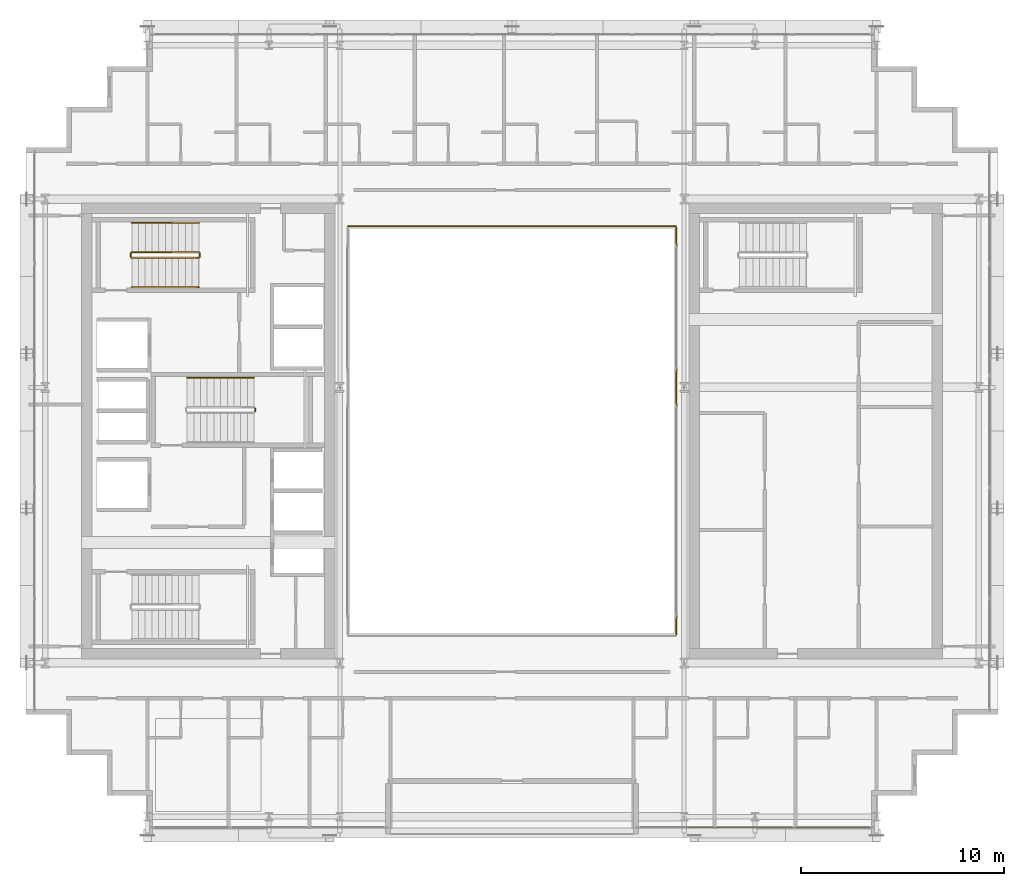
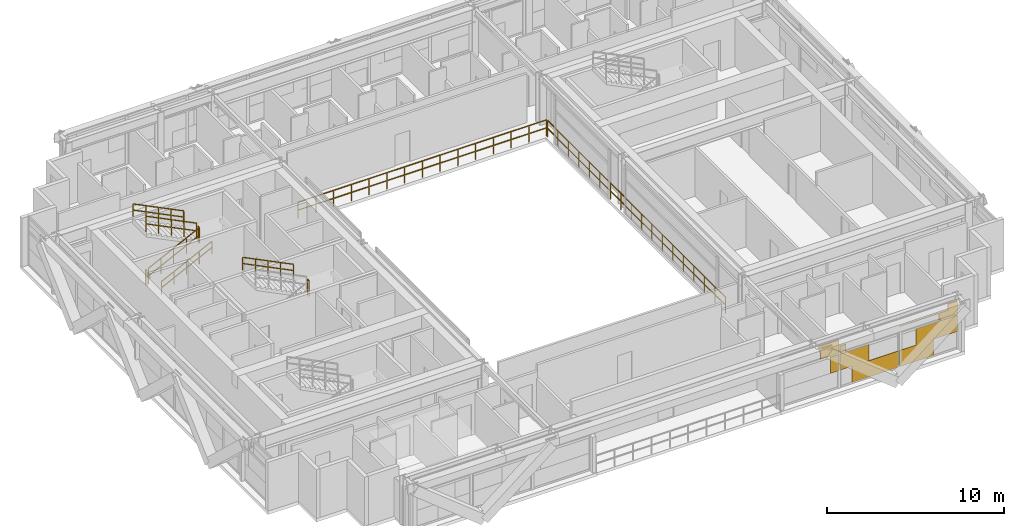
# One storey, part 36 of 38: 10 railings, 1 covering.
"""IFC4 building model written with IfcOpenShell, lengths in metres."""

from ifc_helpers import new_model, si_unit, direction, frame, origin, origin_2d, place, context, subcontext, project, spatial, rectangle, extrude, material, layer, layer_set, type_object, element, save


model = new_model("IFC4")

# Units and contexts
model_context = context("Model", 3, precision=1e-05, world=origin(), true_north=direction((0.0, 1.0)))
body_context = subcontext(model_context, "Body", "Model", "MODEL_VIEW")
ifc_project = project(units=[si_unit("LENGTHUNIT", "METRE"), si_unit("AREAUNIT", "SQUARE_METRE"), si_unit("VOLUMEUNIT", "CUBIC_METRE"), si_unit("PLANEANGLEUNIT", "RADIAN"), si_unit("MASSUNIT", "GRAM", prefix="KILO")], contexts=[model_context])

# Site, building, storey
site_placement = place(None, origin())
site = spatial("IfcSite", under=ifc_project, at=site_placement, CompositionType="ELEMENT")
building_placement = place(site_placement, origin())
building = spatial("IfcBuilding", under=site, at=building_placement, Name="Ocotamira Hotel", CompositionType="ELEMENT")
storey_placement = place(building_placement, frame((0.0, 0.0, 170.39990234375)))
storey = spatial("IfcBuildingStorey", under=building, at=storey_placement, Name="L42", CompositionType="ELEMENT", Elevation=170.39990234375)

# Covering
ifc_material_1 = material(Name="Insulated pale-metal aluminium spandrel panel", Category="aluminium")
ifc_layer = layer(ifc_material_1, 0.044921875)
ifc_layer_set = layer_set([ifc_layer], Name="Insulated pale-metal aluminium spandrel panel")
covering_type = type_object("IfcCoveringType", Name="COV-INFILL-45", PredefinedType="CLADDING", material=ifc_layer_set)
covering_placement = place(storey_placement, origin())
element("IfcCovering", 1, at=covering_placement, inside=storey, type_object=covering_type, Name="L42 Curtain Wall Infill CW-4 CW-L42-S2", PredefinedType="CLADDING", context=body_context, shape_type="SweptSolid", body=[
    extrude(rectangle(XDim=0.543212890625, YDim=0.044921875, at=origin_2d()), frame((41.72119140625, 6.419921875, 1.1943359375), z_axis=(0.0, 0.0, 1.0), x_axis=(1.0, 0.0, 0.0)), (0.0, 0.0, 1.0), 1.117919921875),
    extrude(rectangle(XDim=1.23046875, YDim=0.044921875, at=origin_2d()), frame((41.377685546875, 6.419921875, 2.83154296875), z_axis=(0.0, 0.0, 1.0), x_axis=(1.0, 0.0, 0.0)), (0.0, 0.0, 1.0), 0.462890625),
    extrude(rectangle(XDim=1.19140625, YDim=0.044921875, at=origin_2d()), frame((41.397216796875, 6.419921875, 2.38818359375), z_axis=(0.0, 0.0, 1.0), x_axis=(1.0, 0.0, 0.0)), (0.0, 0.0, 1.0), 0.442626953125),
    extrude(rectangle(XDim=1.893798828125, YDim=0.044921875, at=origin_2d()), frame((43.020751953125, 6.419921875, 1.1943359375), z_axis=(0.0, 0.0, 1.0), x_axis=(1.0, 0.0, 0.0)), (0.0, 0.0, 1.0), 1.117919921875),
    extrude(rectangle(XDim=3.028076171875, YDim=0.044921875, at=origin_2d()), frame((44.362060546875, 6.419921875, 0.07568359375), z_axis=(0.0, 0.0, 1.0), x_axis=(1.0, 0.0, 0.0)), (0.0, 0.0, 1.0), 1.117919921875),
    extrude(rectangle(XDim=0.401611328125, YDim=0.044921875, at=origin_2d()), frame((42.274658203125, 6.419921875, 2.38818359375), z_axis=(0.0, 0.0, 1.0), x_axis=(1.0, 0.0, 0.0)), (0.0, 0.0, 1.0), 0.473876953125),
    extrude(rectangle(XDim=2.19482421875, YDim=0.044921875, at=origin_2d()), frame((47.0546875, 6.419921875, 0.07568359375), z_axis=(0.0, 0.0, 1.0), x_axis=(1.0, 0.0, 0.0)), (0.0, 0.0, 1.0), 1.117919921875),
    extrude(rectangle(XDim=2.68701171875, YDim=0.044921875, at=origin_2d()), frame((48.3759765625, 6.419921875, 1.1943359375), z_axis=(0.0, 0.0, 1.0), x_axis=(1.0, 0.0, 0.0)), (0.0, 0.0, 1.0), 1.117919921875),
    extrude(rectangle(XDim=3.76220703125, YDim=0.044921875, at=origin_2d()), frame((47.83837890625, 6.419921875, 2.83154296875), z_axis=(0.0, 0.0, 1.0), x_axis=(1.0, 0.0, 0.0)), (0.0, 0.0, 1.0), 0.0302734375),
    extrude(rectangle(XDim=1.19482421875, YDim=0.044921875, at=origin_2d()), frame((49.1220703125, 6.419921875, 2.38818359375), z_axis=(0.0, 0.0, 1.0), x_axis=(1.0, 0.0, 0.0)), (0.0, 0.0, 1.0), 0.442626953125),
    extrude(rectangle(XDim=0.601318359375, YDim=0.044921875, at=origin_2d()), frame((49.418701171875, 6.419921875, 2.863037109375), z_axis=(0.0, 0.0, 1.0), x_axis=(1.0, 0.0, 0.0)), (0.0, 0.0, 1.0), 0.431640625),
])

# Railings
ifc_material_2 = material(Name="Painted steel stair guardrail", Category="steel")
railing_type_1 = type_object("IfcRailingType", Name="RL-EDGE-1150", PredefinedType="GUARDRAIL", material=ifc_material_2)
railing_1_placement = place(storey_placement, frame((40.1201171875, 15.9599609375, 0.0)))
element("IfcRailing", 2, at=railing_1_placement, inside=storey, type_object=railing_type_1, Name="L42 Central Atrium Edge Guardrail E", PredefinedType="GUARDRAIL", context=body_context, shape_type="SweptSolid", body=[
    extrude(rectangle(XDim=0.048095703125, YDim=0.048095703125, at=origin_2d()), frame((0.0, 0.0, 1.1259765625), z_axis=(0.0, 1.0, 0.0), x_axis=(-1.0, 0.0, 0.0)), (0.0, 0.0, 1.0), 20.080078125),
    extrude(rectangle(XDim=0.048095703125, YDim=0.048095703125, at=origin_2d()), frame((0.0, 0.0, 0.574951171875), z_axis=(0.0, 1.0, 0.0), x_axis=(-1.0, 0.0, 0.0)), (0.0, 0.0, 1.0), 20.080078125),
    extrude(rectangle(XDim=0.0419921875, YDim=0.0419921875, at=origin_2d()), origin(), (0.0, 0.0, 1.0), 1.101806640625),
    extrude(rectangle(XDim=0.0419921875, YDim=0.0419921875, at=origin_2d()), frame((0.0, 1.18115234375, 0.0)), (0.0, 0.0, 1.0), 1.101806640625),
    extrude(rectangle(XDim=0.0419921875, YDim=0.0419921875, at=origin_2d()), frame((0.0, 2.3623046875, 0.0)), (0.0, 0.0, 1.0), 1.101806640625),
    extrude(rectangle(XDim=0.0419921875, YDim=0.0419921875, at=origin_2d()), frame((0.0, 3.54345703125, 0.0)), (0.0, 0.0, 1.0), 1.101806640625),
    extrude(rectangle(XDim=0.0419921875, YDim=0.0419921875, at=origin_2d()), frame((0.0, 4.724609375, 0.0)), (0.0, 0.0, 1.0), 1.101806640625),
    extrude(rectangle(XDim=0.0419921875, YDim=0.0419921875, at=origin_2d()), frame((0.0, 5.906005859375, 0.0)), (0.0, 0.0, 1.0), 1.101806640625),
    extrude(rectangle(XDim=0.0419921875, YDim=0.0419921875, at=origin_2d()), frame((0.0, 7.087158203125, 0.0)), (0.0, 0.0, 1.0), 1.101806640625),
    extrude(rectangle(XDim=0.0419921875, YDim=0.0419921875, at=origin_2d()), frame((0.0, 8.268310546875, 0.0)), (0.0, 0.0, 1.0), 1.101806640625),
    extrude(rectangle(XDim=0.0419921875, YDim=0.0419921875, at=origin_2d()), frame((0.0, 9.449462890625, 0.0)), (0.0, 0.0, 1.0), 1.101806640625),
    extrude(rectangle(XDim=0.0419921875, YDim=0.0419921875, at=origin_2d()), frame((0.0, 10.630615234375, 0.0)), (0.0, 0.0, 1.0), 1.101806640625),
    extrude(rectangle(XDim=0.0419921875, YDim=0.0419921875, at=origin_2d()), frame((0.0, 11.811767578125, 0.0)), (0.0, 0.0, 1.0), 1.101806640625),
    extrude(rectangle(XDim=0.0419921875, YDim=0.0419921875, at=origin_2d()), frame((0.0, 12.992919921875, 0.0)), (0.0, 0.0, 1.0), 1.101806640625),
    extrude(rectangle(XDim=0.0419921875, YDim=0.0419921875, at=origin_2d()), frame((0.0, 14.174072265625, 0.0)), (0.0, 0.0, 1.0), 1.101806640625),
    extrude(rectangle(XDim=0.0419921875, YDim=0.0419921875, at=origin_2d()), frame((0.0, 15.35546875, 0.0)), (0.0, 0.0, 1.0), 1.101806640625),
    extrude(rectangle(XDim=0.0419921875, YDim=0.0419921875, at=origin_2d()), frame((0.0, 16.53662109375, 0.0)), (0.0, 0.0, 1.0), 1.101806640625),
    extrude(rectangle(XDim=0.0419921875, YDim=0.0419921875, at=origin_2d()), frame((0.0, 17.7177734375, 0.0)), (0.0, 0.0, 1.0), 1.101806640625),
    extrude(rectangle(XDim=0.0419921875, YDim=0.0419921875, at=origin_2d()), frame((0.0, 18.89892578125, 0.0)), (0.0, 0.0, 1.0), 1.101806640625),
    extrude(rectangle(XDim=0.0419921875, YDim=0.0419921875, at=origin_2d()), frame((0.0, 20.080078125, 0.0)), (0.0, 0.0, 1.0), 1.101806640625),
])
railing_2_placement = place(storey_placement, frame((40.10009765625, 36.1201171875, 0.0)))
element("IfcRailing", 3, at=railing_2_placement, inside=storey, type_object=railing_type_1, Name="L42 Central Atrium Edge Guardrail N", PredefinedType="GUARDRAIL", context=body_context, shape_type="SweptSolid", body=[
    extrude(rectangle(XDim=0.048095703125, YDim=0.048095703125, at=origin_2d()), frame((0.0, 0.0, 1.1259765625), z_axis=(-1.0, 0.0, 0.0), x_axis=(0.0, -1.0, 0.0)), (0.0, 0.0, 1.0), 16.2001953125),
    extrude(rectangle(XDim=0.048095703125, YDim=0.048095703125, at=origin_2d()), frame((0.0, 0.0, 0.574951171875), z_axis=(-1.0, 0.0, 0.0), x_axis=(0.0, -1.0, 0.0)), (0.0, 0.0, 1.0), 16.2001953125),
    extrude(rectangle(XDim=0.0419921875, YDim=0.0419921875, at=origin_2d()), origin(), (0.0, 0.0, 1.0), 1.101806640625),
    extrude(rectangle(XDim=0.0419921875, YDim=0.0419921875, at=origin_2d()), frame((-1.1572265625, 0.0, 0.0)), (0.0, 0.0, 1.0), 1.101806640625),
    extrude(rectangle(XDim=0.0419921875, YDim=0.0419921875, at=origin_2d()), frame((-2.314208984375, 0.0, 0.0)), (0.0, 0.0, 1.0), 1.101806640625),
    extrude(rectangle(XDim=0.0419921875, YDim=0.0419921875, at=origin_2d()), frame((-3.471435546875, 0.0, 0.0)), (0.0, 0.0, 1.0), 1.101806640625),
    extrude(rectangle(XDim=0.0419921875, YDim=0.0419921875, at=origin_2d()), frame((-4.628662109375, 0.0, 0.0)), (0.0, 0.0, 1.0), 1.101806640625),
    extrude(rectangle(XDim=0.0419921875, YDim=0.0419921875, at=origin_2d()), frame((-5.785888671875, 0.0, 0.0)), (0.0, 0.0, 1.0), 1.101806640625),
    extrude(rectangle(XDim=0.0419921875, YDim=0.0419921875, at=origin_2d()), frame((-6.94287109375, 0.0, 0.0)), (0.0, 0.0, 1.0), 1.101806640625),
    extrude(rectangle(XDim=0.0419921875, YDim=0.0419921875, at=origin_2d()), frame((-8.10009765625, 0.0, 0.0)), (0.0, 0.0, 1.0), 1.101806640625),
    extrude(rectangle(XDim=0.0419921875, YDim=0.0419921875, at=origin_2d()), frame((-9.25732421875, 0.0, 0.0)), (0.0, 0.0, 1.0), 1.101806640625),
    extrude(rectangle(XDim=0.0419921875, YDim=0.0419921875, at=origin_2d()), frame((-10.414306640625, 0.0, 0.0)), (0.0, 0.0, 1.0), 1.101806640625),
    extrude(rectangle(XDim=0.0419921875, YDim=0.0419921875, at=origin_2d()), frame((-11.571533203125, 0.0, 0.0)), (0.0, 0.0, 1.0), 1.101806640625),
    extrude(rectangle(XDim=0.0419921875, YDim=0.0419921875, at=origin_2d()), frame((-12.728759765625, 0.0, 0.0)), (0.0, 0.0, 1.0), 1.101806640625),
    extrude(rectangle(XDim=0.0419921875, YDim=0.0419921875, at=origin_2d()), frame((-13.885986328125, 0.0, 0.0)), (0.0, 0.0, 1.0), 1.101806640625),
    extrude(rectangle(XDim=0.0419921875, YDim=0.0419921875, at=origin_2d()), frame((-15.04296875, 0.0, 0.0)), (0.0, 0.0, 1.0), 1.101806640625),
    extrude(rectangle(XDim=0.0419921875, YDim=0.0419921875, at=origin_2d()), frame((-16.2001953125, 0.0, 0.0)), (0.0, 0.0, 1.0), 1.101806640625),
])
ifc_material_3 = material(Name="Brushed stainless steel handrail", Category="steel")
railing_type_2 = type_object("IfcRailingType", Name="RL-HAND-900", PredefinedType="HANDRAIL", material=ifc_material_3)
railing_3_placement = place(storey_placement, frame((13.22998046875, 33.10009765625, 0.327392578125)))
element("IfcRailing", 4, at=railing_3_placement, inside=storey, type_object=railing_type_2, Name="L42 ST-2 stair handrail 1", PredefinedType="HANDRAIL", context=body_context, shape_type="SweptSolid", body=[
    extrude(rectangle(XDim=0.048095703125, YDim=0.048095703125, at=origin_2d()), frame((0.0, 0.0, 0.8759765625), z_axis=(0.895920123917, 0.0, 0.444215186098), x_axis=(0.0, 1.0, 0.0)), (0.0, 0.0, 1.0), 3.683349609375),
    extrude(rectangle(XDim=0.048095703125, YDim=0.048095703125, at=origin_2d()), frame((0.0, 0.0, 0.449951171875), z_axis=(0.895920123917, 0.0, 0.444215186098), x_axis=(0.0, 1.0, 0.0)), (0.0, 0.0, 1.0), 3.683349609375),
    extrude(rectangle(XDim=0.0419921875, YDim=0.0419921875, at=origin_2d()), origin(), (0.0, 0.0, 1.0), 0.851806640625),
    extrude(rectangle(XDim=0.0419921875, YDim=0.0419921875, at=origin_2d()), frame((0.824951171875, 0.0, 0.4091796875)), (0.0, 0.0, 1.0), 0.851806640625),
    extrude(rectangle(XDim=0.0419921875, YDim=0.0419921875, at=origin_2d()), frame((1.64990234375, 0.0, 0.818115234375)), (0.0, 0.0, 1.0), 0.851806640625),
    extrude(rectangle(XDim=0.0419921875, YDim=0.0419921875, at=origin_2d()), frame((2.47509765625, 0.0, 1.22705078125)), (0.0, 0.0, 1.0), 0.851806640625),
    extrude(rectangle(XDim=0.0419921875, YDim=0.0419921875, at=origin_2d()), frame((3.300048828125, 0.0, 1.63623046875)), (0.0, 0.0, 1.0), 0.851806640625),
])
for number, where, name in (
    (5, (16.530029296875, 36.280029296875, 2.12744140625), "L42 ST-2 stair handrail 2"),
    (6, (19.260009765625, 28.6298828125, 2.12744140625), "L42 ST-3 stair handrail 2"),
):
    element("IfcRailing", number, at=place(storey_placement, frame(where)), inside=storey, type_object=railing_type_2, Name=name, PredefinedType="HANDRAIL", context=body_context, shape_type="SweptSolid", body=[
        extrude(rectangle(XDim=0.048095703125, YDim=0.048095703125, at=origin_2d()), frame((0.0, 0.0, 0.8759765625), z_axis=(-0.895920123917, 0.0, 0.444215186098), x_axis=(0.0, -1.0, 0.0)), (0.0, 0.0, 1.0), 3.683349609375),
        extrude(rectangle(XDim=0.048095703125, YDim=0.048095703125, at=origin_2d()), frame((0.0, 0.0, 0.449951171875), z_axis=(-0.895920123917, 0.0, 0.444215186098), x_axis=(0.0, -1.0, 0.0)), (0.0, 0.0, 1.0), 3.683349609375),
        extrude(rectangle(XDim=0.0419921875, YDim=0.0419921875, at=origin_2d()), origin(), (0.0, 0.0, 1.0), 0.851806640625),
        extrude(rectangle(XDim=0.0419921875, YDim=0.0419921875, at=origin_2d()), frame((-0.824951171875, 0.0, 0.4091796875)), (0.0, 0.0, 1.0), 0.851806640625),
        extrude(rectangle(XDim=0.0419921875, YDim=0.0419921875, at=origin_2d()), frame((-1.64990234375, 0.0, 0.818115234375)), (0.0, 0.0, 1.0), 0.851806640625),
        extrude(rectangle(XDim=0.0419921875, YDim=0.0419921875, at=origin_2d()), frame((-2.47509765625, 0.0, 1.22705078125)), (0.0, 0.0, 1.0), 0.851806640625),
        extrude(rectangle(XDim=0.0419921875, YDim=0.0419921875, at=origin_2d()), frame((-3.300048828125, 0.0, 1.63623046875)), (0.0, 0.0, 1.0), 0.851806640625),
    ])
railing_type_3 = type_object("IfcRailingType", Name="RL-STAIR-1100", PredefinedType="GUARDRAIL", material=ifc_material_2)
railing_4_placement = place(storey_placement, frame((13.22998046875, 34.56005859375, 0.163818359375)))
element("IfcRailing", 7, at=railing_4_placement, inside=storey, type_object=railing_type_3, Name="L42 ST-2 stair guard 1", PredefinedType="GUARDRAIL", context=body_context, shape_type="SweptSolid", body=[
    extrude(rectangle(XDim=0.048095703125, YDim=0.048095703125, at=origin_2d()), frame((0.0, 0.0, 1.076171875), z_axis=(0.895920123917, 0.0, 0.444215186098), x_axis=(0.0, 1.0, 0.0)), (0.0, 0.0, 1.0), 3.683349609375),
    extrude(rectangle(XDim=0.048095703125, YDim=0.048095703125, at=origin_2d()), frame((0.0, 0.0, 0.550048828125), z_axis=(0.895920123917, 0.0, 0.444215186098), x_axis=(0.0, 1.0, 0.0)), (0.0, 0.0, 1.0), 3.683349609375),
    extrude(rectangle(XDim=0.0419921875, YDim=0.0419921875, at=origin_2d()), origin(), (0.0, 0.0, 1.0), 1.052001953125),
    extrude(rectangle(XDim=0.0419921875, YDim=0.0419921875, at=origin_2d()), frame((0.824951171875, 0.0, 0.4091796875)), (0.0, 0.0, 1.0), 1.052001953125),
    extrude(rectangle(XDim=0.0419921875, YDim=0.0419921875, at=origin_2d()), frame((1.64990234375, 0.0, 0.818115234375)), (0.0, 0.0, 1.0), 1.052001953125),
    extrude(rectangle(XDim=0.0419921875, YDim=0.0419921875, at=origin_2d()), frame((2.47509765625, 0.0, 1.22705078125)), (0.0, 0.0, 1.0), 1.052001953125),
    extrude(rectangle(XDim=0.0419921875, YDim=0.0419921875, at=origin_2d()), frame((3.300048828125, 0.0, 1.63623046875)), (0.0, 0.0, 1.0), 1.052001953125),
])
railing_5_placement = place(storey_placement, frame((16.580078125, 34.610107421875, 1.800048828125)))
element("IfcRailing", 8, at=railing_5_placement, inside=storey, type_object=railing_type_3, Name="L42 ST-2 stair guard 2", PredefinedType="GUARDRAIL", context=body_context, shape_type="SweptSolid", body=[
    extrude(rectangle(XDim=0.048095703125, YDim=0.048095703125, at=origin_2d()), frame((0.0, 0.0, 1.076171875), z_axis=(0.0, 1.0, 0.0), x_axis=(-1.0, 0.0, 0.0)), (0.0, 0.0, 1.0), 0.159912109375),
    extrude(rectangle(XDim=0.048095703125, YDim=0.048095703125, at=origin_2d()), frame((0.0, 0.0, 0.550048828125), z_axis=(0.0, 1.0, 0.0), x_axis=(-1.0, 0.0, 0.0)), (0.0, 0.0, 1.0), 0.159912109375),
    extrude(rectangle(XDim=0.0419921875, YDim=0.0419921875, at=origin_2d()), origin(), (0.0, 0.0, 1.0), 1.052001953125),
    extrude(rectangle(XDim=0.0419921875, YDim=0.0419921875, at=origin_2d()), frame((0.0, 0.159912109375, 0.0)), (0.0, 0.0, 1.0), 1.052001953125),
])
railing_6_placement = place(storey_placement, frame((16.530029296875, 34.820068359375, 1.963623046875)))
element("IfcRailing", 9, at=railing_6_placement, inside=storey, type_object=railing_type_3, Name="L42 ST-2 stair guard 3", PredefinedType="GUARDRAIL", context=body_context, shape_type="SweptSolid", body=[
    extrude(rectangle(XDim=0.048095703125, YDim=0.048095703125, at=origin_2d()), frame((0.0, 0.0, 1.076171875), z_axis=(-0.895893744519, 0.0, 0.4442683857), x_axis=(0.0, -1.0, 0.0)), (0.0, 0.0, 1.0), 3.68359375),
    extrude(rectangle(XDim=0.048095703125, YDim=0.048095703125, at=origin_2d()), frame((0.0, 0.0, 0.550048828125), z_axis=(-0.895893744519, 0.0, 0.4442683857), x_axis=(0.0, -1.0, 0.0)), (0.0, 0.0, 1.0), 3.68359375),
    extrude(rectangle(XDim=0.0419921875, YDim=0.0419921875, at=origin_2d()), origin(), (0.0, 0.0, 1.0), 1.052001953125),
    extrude(rectangle(XDim=0.0419921875, YDim=0.0419921875, at=origin_2d()), frame((-0.824951171875, 0.0, 0.4091796875)), (0.0, 0.0, 1.0), 1.052001953125),
    extrude(rectangle(XDim=0.0419921875, YDim=0.0419921875, at=origin_2d()), frame((-1.64990234375, 0.0, 0.818359375)), (0.0, 0.0, 1.0), 1.052001953125),
    extrude(rectangle(XDim=0.0419921875, YDim=0.0419921875, at=origin_2d()), frame((-2.47509765625, 0.0, 1.227294921875)), (0.0, 0.0, 1.0), 1.052001953125),
    extrude(rectangle(XDim=0.0419921875, YDim=0.0419921875, at=origin_2d()), frame((-3.300048828125, 0.0, 1.636474609375)), (0.0, 0.0, 1.0), 1.052001953125),
])
railing_7_placement = place(storey_placement, frame((13.179931640625, 34.610107421875, 0.0)))
element("IfcRailing", 10, at=railing_7_placement, inside=storey, type_object=railing_type_3, Name="L42 ST-2 stair guard 4", PredefinedType="GUARDRAIL", context=body_context, shape_type="SweptSolid", body=[
    extrude(rectangle(XDim=0.048095703125, YDim=0.048095703125, at=origin_2d()), frame((0.0, 0.0, 1.076171875), z_axis=(0.0, 1.0, 0.0), x_axis=(-1.0, 0.0, 0.0)), (0.0, 0.0, 1.0), 0.159912109375),
    extrude(rectangle(XDim=0.048095703125, YDim=0.048095703125, at=origin_2d()), frame((0.0, 0.0, 0.550048828125), z_axis=(0.0, 1.0, 0.0), x_axis=(-1.0, 0.0, 0.0)), (0.0, 0.0, 1.0), 0.159912109375),
    extrude(rectangle(XDim=0.0419921875, YDim=0.0419921875, at=origin_2d()), origin(), (0.0, 0.0, 1.0), 1.052001953125),
    extrude(rectangle(XDim=0.0419921875, YDim=0.0419921875, at=origin_2d()), frame((0.0, 0.159912109375, 0.0)), (0.0, 0.0, 1.0), 1.052001953125),
])
railing_8_placement = place(storey_placement, frame((19.31005859375, 26.9599609375, 1.800048828125)))
element("IfcRailing", 11, at=railing_8_placement, inside=storey, type_object=railing_type_3, Name="L42 ST-3 stair guard 2", PredefinedType="GUARDRAIL", context=body_context, shape_type="SweptSolid", body=[
    extrude(rectangle(XDim=0.048095703125, YDim=0.048095703125, at=origin_2d()), frame((0.0, 0.0, 1.076171875), z_axis=(0.0, 1.0, 0.0), x_axis=(-1.0, 0.0, 0.0)), (0.0, 0.0, 1.0), 0.16015625),
    extrude(rectangle(XDim=0.048095703125, YDim=0.048095703125, at=origin_2d()), frame((0.0, 0.0, 0.550048828125), z_axis=(0.0, 1.0, 0.0), x_axis=(-1.0, 0.0, 0.0)), (0.0, 0.0, 1.0), 0.16015625),
    extrude(rectangle(XDim=0.0419921875, YDim=0.0419921875, at=origin_2d()), origin(), (0.0, 0.0, 1.0), 1.052001953125),
    extrude(rectangle(XDim=0.0419921875, YDim=0.0419921875, at=origin_2d()), frame((0.0, 0.16015625, 0.0)), (0.0, 0.0, 1.0), 1.052001953125),
])

save(model, "model.ifc")
